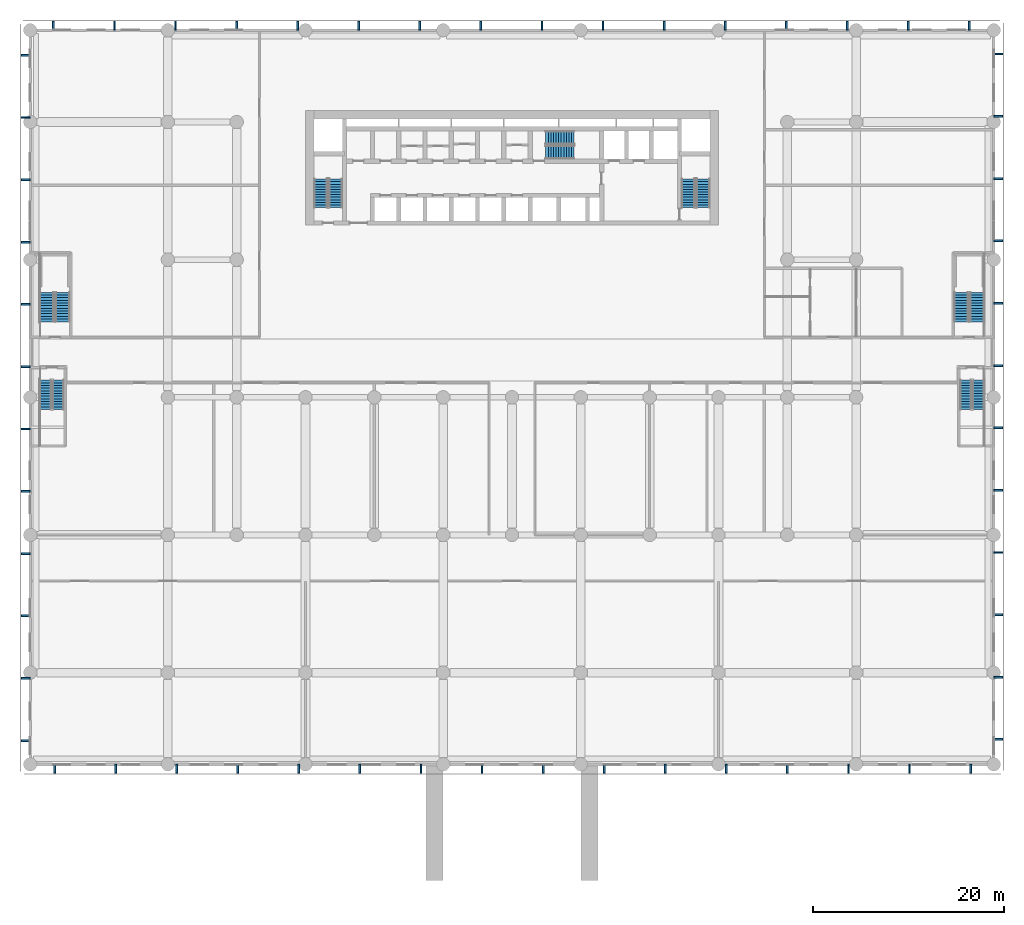
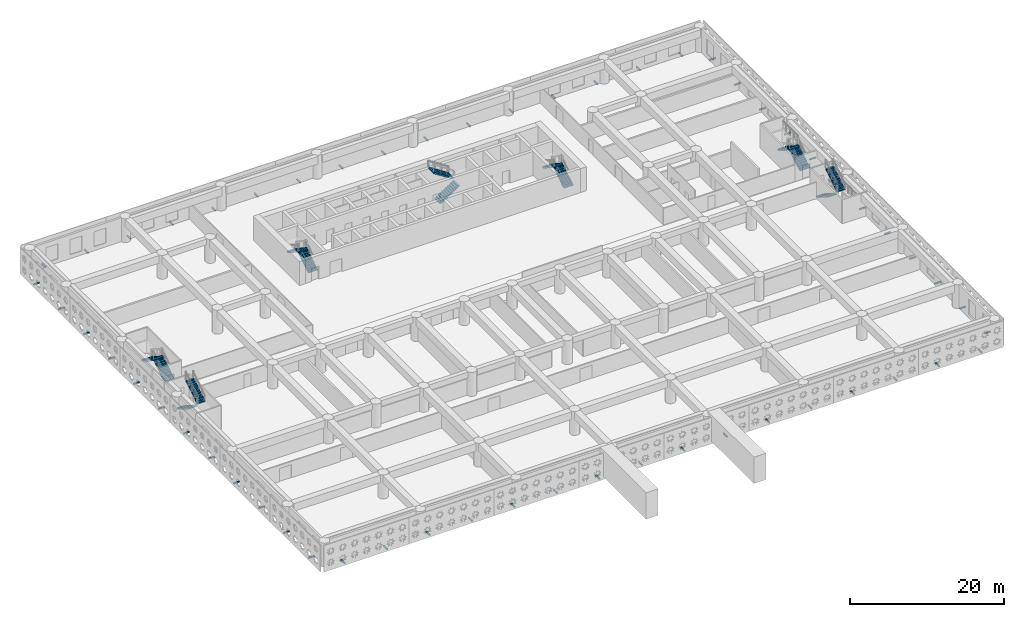
# One storey, part 10 of 23: 56 discrete accessories, 14 stair flights, 7 elements without a shape of their own.
"""IFC4 building model written with IfcOpenShell, lengths in metres."""

from ifc_helpers import new_model, si_unit, direction, frame, origin, origin_2d, place, context, subcontext, project, spatial, polyline, rectangle, outline, extrude, source, transform, mapped, material, layer, layer_set, type_object, element, aggregate, save


model = new_model("IFC4")

# Units and contexts
model_context = context("Model", 3, precision=1e-05, world=origin(), true_north=direction((0.0, 1.0)))
body_context = subcontext(model_context, "Body", "Model", "MODEL_VIEW")
ifc_project = project(units=[si_unit("LENGTHUNIT", "METRE"), si_unit("AREAUNIT", "SQUARE_METRE"), si_unit("VOLUMEUNIT", "CUBIC_METRE"), si_unit("PLANEANGLEUNIT", "RADIAN"), si_unit("MASSUNIT", "GRAM", prefix="KILO")], contexts=[model_context])

# Site, building, storey
site_placement = place(None, origin())
site = spatial("IfcSite", under=ifc_project, at=site_placement, CompositionType="ELEMENT")
building_placement = place(site_placement, origin())
building = spatial("IfcBuilding", under=site, at=building_placement, Name="Saffron Iwan Residences", CompositionType="ELEMENT")
storey_placement = place(building_placement, frame((0.0, 0.0, 17.39990234375)))
storey = spatial("IfcBuildingStorey", under=building, at=storey_placement, Name="L03", CompositionType="ELEMENT", Elevation=17.39990234375)

# Stair, stair flights
ifc_material_1 = material(Name="Concrete C40/50", Category="concrete")
stair_type_1 = type_object("IfcStairType", Name="Podium stair, reinforced concrete", PredefinedType="HALF_TURN_STAIR", material=ifc_material_1)
stair_1_placement = place(storey_placement, origin())
stair_1 = element("IfcStair", 1, at=stair_1_placement, inside=storey, type_object=stair_type_1, Name="L03 Podium Stair 1", PredefinedType="HALF_TURN_STAIR")
stair_flight_type_1 = type_object("IfcStairFlightType", Name="Podium stair flight, reinforced concrete", PredefinedType="STRAIGHT", material=ifc_material_1)
stair_flight_1_placement = place(storey_placement, frame((1.60009765625, 49.800048828125, 0.0), z_axis=(0.0, 0.0, 1.0), x_axis=(0.0, -1.0, 0.0)))
stair_flight_1 = element("IfcStairFlight", 2, at=stair_flight_1_placement, type_object=stair_flight_type_1, Name="PS1 flight 1", NumberOfRisers=12, NumberOfTreads=11, PredefinedType="STRAIGHT", RiserHeight=0.175, TreadLength=0.28, context=body_context, shape_type="SweptSolid", body=[
    extrude(outline(polyline([(0.0, 0.0), (0.0, 0.175048828125), (0.280029296875, 0.175048828125), (0.280029296875, 0.35009765625), (0.56005859375, 0.35009765625), (0.56005859375, 0.52490234375), (0.840087890625, 0.52490234375), (0.840087890625, 0.699951171875), (1.1201171875, 0.699951171875), (1.1201171875, 0.875), (1.39990234375, 0.875), (1.39990234375, 1.050048828125), (1.679931640625, 1.050048828125), (1.679931640625, 1.22509765625), (1.9599609375, 1.22509765625), (1.9599609375, 1.39990234375), (2.239990234375, 1.39990234375), (2.239990234375, 1.574951171875), (2.52001953125, 1.574951171875), (2.52001953125, 1.75), (2.800048828125, 1.75), (2.800048828125, 1.925048828125), (3.080078125, 1.925048828125), (3.080078125, 2.10009765625), (3.080078125, 1.748291015625), (0.28271484375, 0.0), (0.0, 0.0)])), frame((0.0, 0.60009765625, 0.0), z_axis=(0.0, -1.0, 0.0), x_axis=(1.0, 0.0, 0.0)), (0.0, 0.0, 1.0), 1.199951171875),
])
stair_flight_2_placement = place(storey_placement, frame((2.949951171875, 46.719970703125, 2.10009765625), z_axis=(0.0, 0.0, 1.0), x_axis=(0.0, 1.0, 0.0)))
stair_flight_2 = element("IfcStairFlight", 3, at=stair_flight_2_placement, type_object=stair_flight_type_1, Name="PS1 flight 2", NumberOfRisers=12, NumberOfTreads=11, PredefinedType="STRAIGHT", RiserHeight=0.175, TreadLength=0.28, context=body_context, shape_type="SweptSolid", body=[
    extrude(outline(polyline([(0.0, 0.0), (0.0, 0.175048828125), (0.280029296875, 0.175048828125), (0.280029296875, 0.35009765625), (0.56005859375, 0.35009765625), (0.56005859375, 0.52490234375), (0.840087890625, 0.52490234375), (0.840087890625, 0.699951171875), (1.1201171875, 0.699951171875), (1.1201171875, 0.875), (1.39990234375, 0.875), (1.39990234375, 1.050048828125), (1.679931640625, 1.050048828125), (1.679931640625, 1.22509765625), (1.9599609375, 1.22509765625), (1.9599609375, 1.39990234375), (2.239990234375, 1.39990234375), (2.239990234375, 1.574951171875), (2.52001953125, 1.574951171875), (2.52001953125, 1.75), (2.800048828125, 1.75), (2.800048828125, 1.925048828125), (3.080078125, 1.925048828125), (3.080078125, 2.10009765625), (3.080078125, 1.748291015625), (0.28271484375, 0.0), (0.0, 0.0)])), frame((0.0, 0.60009765625, 0.0), z_axis=(0.0, -1.0, 0.0), x_axis=(1.0, 0.0, 0.0)), (0.0, 0.0, 1.0), 1.199951171875),
])
aggregate(stair_1, [stair_flight_1, stair_flight_2])

stair_2_placement = place(storey_placement, origin())
stair_2 = element("IfcStair", 4, at=stair_2_placement, inside=storey, type_object=stair_type_1, Name="L03 Podium Stair 2", PredefinedType="HALF_TURN_STAIR")
stair_flight_3_placement = place(storey_placement, frame((97.85009765625, 49.800048828125, 0.0), z_axis=(0.0, 0.0, 1.0), x_axis=(0.0, -1.0, 0.0)))
stair_flight_3 = element("IfcStairFlight", 5, at=stair_flight_3_placement, type_object=stair_flight_type_1, Name="PS2 flight 1", NumberOfRisers=12, NumberOfTreads=11, PredefinedType="STRAIGHT", RiserHeight=0.175, TreadLength=0.28, context=body_context, shape_type="SweptSolid", body=[
    extrude(outline(polyline([(0.0, 0.0), (0.0, 0.175048828125), (0.280029296875, 0.175048828125), (0.280029296875, 0.35009765625), (0.56005859375, 0.35009765625), (0.56005859375, 0.52490234375), (0.840087890625, 0.52490234375), (0.840087890625, 0.699951171875), (1.1201171875, 0.699951171875), (1.1201171875, 0.875), (1.39990234375, 0.875), (1.39990234375, 1.050048828125), (1.679931640625, 1.050048828125), (1.679931640625, 1.22509765625), (1.9599609375, 1.22509765625), (1.9599609375, 1.39990234375), (2.239990234375, 1.39990234375), (2.239990234375, 1.574951171875), (2.52001953125, 1.574951171875), (2.52001953125, 1.75), (2.800048828125, 1.75), (2.800048828125, 1.925048828125), (3.080078125, 1.925048828125), (3.080078125, 2.10009765625), (3.080078125, 1.748291015625), (0.28271484375, 0.0), (0.0, 0.0)])), frame((0.0, 0.60009765625, 0.0), z_axis=(0.0, -1.0, 0.0), x_axis=(1.0, 0.0, 0.0)), (0.0, 0.0, 1.0), 1.199951171875),
])
stair_flight_4_placement = place(storey_placement, frame((99.199951171875, 46.719970703125, 2.10009765625), z_axis=(0.0, 0.0, 1.0), x_axis=(0.0, 1.0, 0.0)))
stair_flight_4 = element("IfcStairFlight", 6, at=stair_flight_4_placement, type_object=stair_flight_type_1, Name="PS2 flight 2", NumberOfRisers=12, NumberOfTreads=11, PredefinedType="STRAIGHT", RiserHeight=0.175, TreadLength=0.28, context=body_context, shape_type="SweptSolid", body=[
    extrude(outline(polyline([(0.0, 0.0), (0.0, 0.175048828125), (0.280029296875, 0.175048828125), (0.280029296875, 0.35009765625), (0.56005859375, 0.35009765625), (0.56005859375, 0.52490234375), (0.840087890625, 0.52490234375), (0.840087890625, 0.699951171875), (1.1201171875, 0.699951171875), (1.1201171875, 0.875), (1.39990234375, 0.875), (1.39990234375, 1.050048828125), (1.679931640625, 1.050048828125), (1.679931640625, 1.22509765625), (1.9599609375, 1.22509765625), (1.9599609375, 1.39990234375), (2.239990234375, 1.39990234375), (2.239990234375, 1.574951171875), (2.52001953125, 1.574951171875), (2.52001953125, 1.75), (2.800048828125, 1.75), (2.800048828125, 1.925048828125), (3.080078125, 1.925048828125), (3.080078125, 2.10009765625), (3.080078125, 1.748291015625), (0.28271484375, 0.0), (0.0, 0.0)])), frame((0.0, 0.60009765625, 0.0), z_axis=(0.0, -1.0, 0.0), x_axis=(1.0, 0.0, 0.0)), (0.0, 0.0, 1.0), 1.199951171875),
])
aggregate(stair_2, [stair_flight_3, stair_flight_4])

stair_3_placement = place(storey_placement, origin())
stair_3 = element("IfcStair", 7, at=stair_3_placement, inside=storey, type_object=stair_type_1, Name="L03 Podium Stair 3", PredefinedType="HALF_TURN_STAIR")
stair_flight_5_placement = place(storey_placement, frame((3.39990234375, 55.89990234375, 0.0), z_axis=(0.0, 0.0, 1.0), x_axis=(0.0, 1.0, 0.0)))
stair_flight_5 = element("IfcStairFlight", 8, at=stair_flight_5_placement, type_object=stair_flight_type_1, Name="PS3 flight 1", NumberOfRisers=12, NumberOfTreads=11, PredefinedType="STRAIGHT", RiserHeight=0.175, TreadLength=0.28, context=body_context, shape_type="SweptSolid", body=[
    extrude(outline(polyline([(0.0, 0.0), (0.0, 0.175048828125), (0.280029296875, 0.175048828125), (0.280029296875, 0.35009765625), (0.56005859375, 0.35009765625), (0.56005859375, 0.52490234375), (0.840087890625, 0.52490234375), (0.840087890625, 0.699951171875), (1.1201171875, 0.699951171875), (1.1201171875, 0.875), (1.39990234375, 0.875), (1.39990234375, 1.050048828125), (1.679931640625, 1.050048828125), (1.679931640625, 1.22509765625), (1.9599609375, 1.22509765625), (1.9599609375, 1.39990234375), (2.239990234375, 1.39990234375), (2.239990234375, 1.574951171875), (2.52001953125, 1.574951171875), (2.52001953125, 1.75), (2.800048828125, 1.75), (2.800048828125, 1.925048828125), (3.080078125, 1.925048828125), (3.080078125, 2.10009765625), (3.080078125, 1.748291015625), (0.28271484375, 0.0), (0.0, 0.0)])), frame((0.0, 0.75, 0.0), z_axis=(0.0, -1.0, 0.0), x_axis=(1.0, 0.0, 0.0)), (0.0, 0.0, 1.0), 1.5),
])
stair_flight_6_placement = place(storey_placement, frame((1.75, 58.97998046875, 2.10009765625), z_axis=(0.0, 0.0, 1.0), x_axis=(0.0, -1.0, 0.0)))
stair_flight_6 = element("IfcStairFlight", 9, at=stair_flight_6_placement, type_object=stair_flight_type_1, Name="PS3 flight 2", NumberOfRisers=12, NumberOfTreads=11, PredefinedType="STRAIGHT", RiserHeight=0.175, TreadLength=0.28, context=body_context, shape_type="SweptSolid", body=[
    extrude(outline(polyline([(0.0, 0.0), (0.0, 0.175048828125), (0.280029296875, 0.175048828125), (0.280029296875, 0.35009765625), (0.56005859375, 0.35009765625), (0.56005859375, 0.52490234375), (0.840087890625, 0.52490234375), (0.840087890625, 0.699951171875), (1.1201171875, 0.699951171875), (1.1201171875, 0.875), (1.39990234375, 0.875), (1.39990234375, 1.050048828125), (1.679931640625, 1.050048828125), (1.679931640625, 1.22509765625), (1.9599609375, 1.22509765625), (1.9599609375, 1.39990234375), (2.239990234375, 1.39990234375), (2.239990234375, 1.574951171875), (2.52001953125, 1.574951171875), (2.52001953125, 1.75), (2.800048828125, 1.75), (2.800048828125, 1.925048828125), (3.080078125, 1.925048828125), (3.080078125, 2.10009765625), (3.080078125, 1.748291015625), (0.28271484375, 0.0), (0.0, 0.0)])), frame((0.0, 0.75, 0.0), z_axis=(0.0, -1.0, 0.0), x_axis=(1.0, 0.0, 0.0)), (0.0, 0.0, 1.0), 1.5),
])
aggregate(stair_3, [stair_flight_5, stair_flight_6])

stair_4_placement = place(storey_placement, origin())
stair_4 = element("IfcStair", 10, at=stair_4_placement, inside=storey, type_object=stair_type_1, Name="L03 Podium Stair 4", PredefinedType="HALF_TURN_STAIR")
stair_flight_7_placement = place(storey_placement, frame((99.050048828125, 55.89990234375, 0.0), z_axis=(0.0, 0.0, 1.0), x_axis=(0.0, 1.0, 0.0)))
stair_flight_7 = element("IfcStairFlight", 11, at=stair_flight_7_placement, type_object=stair_flight_type_1, Name="PS4 flight 1", NumberOfRisers=12, NumberOfTreads=11, PredefinedType="STRAIGHT", RiserHeight=0.175, TreadLength=0.28, context=body_context, shape_type="SweptSolid", body=[
    extrude(outline(polyline([(0.0, 0.0), (0.0, 0.175048828125), (0.280029296875, 0.175048828125), (0.280029296875, 0.35009765625), (0.56005859375, 0.35009765625), (0.56005859375, 0.52490234375), (0.840087890625, 0.52490234375), (0.840087890625, 0.699951171875), (1.1201171875, 0.699951171875), (1.1201171875, 0.875), (1.39990234375, 0.875), (1.39990234375, 1.050048828125), (1.679931640625, 1.050048828125), (1.679931640625, 1.22509765625), (1.9599609375, 1.22509765625), (1.9599609375, 1.39990234375), (2.239990234375, 1.39990234375), (2.239990234375, 1.574951171875), (2.52001953125, 1.574951171875), (2.52001953125, 1.75), (2.800048828125, 1.75), (2.800048828125, 1.925048828125), (3.080078125, 1.925048828125), (3.080078125, 2.10009765625), (3.080078125, 1.748291015625), (0.28271484375, 0.0), (0.0, 0.0)])), frame((0.0, 0.75, 0.0), z_axis=(0.0, -1.0, 0.0), x_axis=(1.0, 0.0, 0.0)), (0.0, 0.0, 1.0), 1.5),
])
stair_flight_8_placement = place(storey_placement, frame((97.39990234375, 58.97998046875, 2.10009765625), z_axis=(0.0, 0.0, 1.0), x_axis=(0.0, -1.0, 0.0)))
stair_flight_8 = element("IfcStairFlight", 12, at=stair_flight_8_placement, type_object=stair_flight_type_1, Name="PS4 flight 2", NumberOfRisers=12, NumberOfTreads=11, PredefinedType="STRAIGHT", RiserHeight=0.175, TreadLength=0.28, context=body_context, shape_type="SweptSolid", body=[
    extrude(outline(polyline([(0.0, 0.0), (0.0, 0.175048828125), (0.280029296875, 0.175048828125), (0.280029296875, 0.35009765625), (0.56005859375, 0.35009765625), (0.56005859375, 0.52490234375), (0.840087890625, 0.52490234375), (0.840087890625, 0.699951171875), (1.1201171875, 0.699951171875), (1.1201171875, 0.875), (1.39990234375, 0.875), (1.39990234375, 1.050048828125), (1.679931640625, 1.050048828125), (1.679931640625, 1.22509765625), (1.9599609375, 1.22509765625), (1.9599609375, 1.39990234375), (2.239990234375, 1.39990234375), (2.239990234375, 1.574951171875), (2.52001953125, 1.574951171875), (2.52001953125, 1.75), (2.800048828125, 1.75), (2.800048828125, 1.925048828125), (3.080078125, 1.925048828125), (3.080078125, 2.10009765625), (3.080078125, 1.748291015625), (0.28271484375, 0.0), (0.0, 0.0)])), frame((0.0, 0.75, 0.0), z_axis=(0.0, -1.0, 0.0), x_axis=(1.0, 0.0, 0.0)), (0.0, 0.0, 1.0), 1.5),
])
aggregate(stair_4, [stair_flight_7, stair_flight_8])

ifc_material_2 = material(Name="Concrete C50/60", Category="concrete")
stair_type_2 = type_object("IfcStairType", Name="Stair ST-CORE", PredefinedType="HALF_TURN_STAIR", material=ifc_material_2)
stair_5_placement = place(storey_placement, origin())
stair_5 = element("IfcStair", 13, at=stair_5_placement, inside=storey, type_object=stair_type_2, Name="L03 Exit Stair ST-W", PredefinedType="HALF_TURN_STAIR")
ifc_layer = layer(ifc_material_2, 0.14990234375)
ifc_layer_set = layer_set([ifc_layer], Name="Concrete C50/60")
stair_flight_type_2 = type_object("IfcStairFlightType", Name="Stair flight SFL-RC", PredefinedType="STRAIGHT", material=ifc_layer_set)
stair_flight_9_placement = place(storey_placement, frame((31.949951171875, 67.85009765625, 0.0), z_axis=(0.0, 0.0, 1.0), x_axis=(0.0, 1.0, 0.0)))
stair_flight_9 = element("IfcStairFlight", 14, at=stair_flight_9_placement, type_object=stair_flight_type_2, Name="ST-W flight 1", NumberOfRisers=12, NumberOfTreads=11, PredefinedType="STRAIGHT", RiserHeight=0.175, TreadLength=0.27, context=body_context, shape_type="SweptSolid", body=[
    extrude(outline(polyline([(0.0, 0.0), (0.0, 0.175048828125), (0.27001953125, 0.175048828125), (0.27001953125, 0.35009765625), (0.5400390625, 0.35009765625), (0.5400390625, 0.52490234375), (0.81005859375, 0.52490234375), (0.81005859375, 0.699951171875), (1.080078125, 0.699951171875), (1.080078125, 0.875), (1.35009765625, 0.875), (1.35009765625, 1.050048828125), (1.6201171875, 1.050048828125), (1.6201171875, 1.22509765625), (1.889892578125, 1.22509765625), (1.889892578125, 1.39990234375), (2.159912109375, 1.39990234375), (2.159912109375, 1.574951171875), (2.429931640625, 1.574951171875), (2.429931640625, 1.75), (2.699951171875, 1.75), (2.699951171875, 1.925048828125), (2.969970703125, 1.925048828125), (2.969970703125, 2.10009765625), (2.969970703125, 1.746337890625), (0.275634765625, 0.0), (0.0, 0.0)])), frame((0.0, 0.699951171875, 0.0), z_axis=(0.0, -1.0, 0.0), x_axis=(1.0, 0.0, 0.0)), (0.0, 0.0, 1.0), 1.39990234375),
])
stair_flight_10_placement = place(storey_placement, frame((30.39990234375, 70.820068359375, 2.10009765625), z_axis=(0.0, 0.0, 1.0), x_axis=(0.0, -1.0, 0.0)))
stair_flight_10 = element("IfcStairFlight", 15, at=stair_flight_10_placement, type_object=stair_flight_type_2, Name="ST-W flight 2", NumberOfRisers=12, NumberOfTreads=11, PredefinedType="STRAIGHT", RiserHeight=0.175, TreadLength=0.27, context=body_context, shape_type="SweptSolid", body=[
    extrude(outline(polyline([(0.0, 0.0), (0.0, 0.175048828125), (0.27001953125, 0.175048828125), (0.27001953125, 0.35009765625), (0.5400390625, 0.35009765625), (0.5400390625, 0.52490234375), (0.81005859375, 0.52490234375), (0.81005859375, 0.699951171875), (1.080078125, 0.699951171875), (1.080078125, 0.875), (1.35009765625, 0.875), (1.35009765625, 1.050048828125), (1.6201171875, 1.050048828125), (1.6201171875, 1.22509765625), (1.889892578125, 1.22509765625), (1.889892578125, 1.39990234375), (2.159912109375, 1.39990234375), (2.159912109375, 1.574951171875), (2.429931640625, 1.574951171875), (2.429931640625, 1.75), (2.699951171875, 1.75), (2.699951171875, 1.925048828125), (2.969970703125, 1.925048828125), (2.969970703125, 2.10009765625), (2.969970703125, 1.746337890625), (0.275634765625, 0.0), (0.0, 0.0)])), frame((0.0, 0.699951171875, 0.0), z_axis=(0.0, -1.0, 0.0), x_axis=(1.0, 0.0, 0.0)), (0.0, 0.0, 1.0), 1.39990234375),
])
aggregate(stair_5, [stair_flight_9, stair_flight_10])

stair_6_placement = place(storey_placement, origin())
stair_6 = element("IfcStair", 16, at=stair_6_placement, inside=storey, type_object=stair_type_2, Name="L03 Exit Stair ST-C", PredefinedType="HALF_TURN_STAIR")
stair_flight_11_placement = place(storey_placement, frame((53.925048828125, 73.625, 0.0), z_axis=(0.0, 0.0, 1.0), x_axis=(1.0, 0.0, 0.0)))
stair_flight_11 = element("IfcStairFlight", 17, at=stair_flight_11_placement, type_object=stair_flight_type_2, Name="ST-C flight 1", NumberOfRisers=12, NumberOfTreads=11, PredefinedType="STRAIGHT", RiserHeight=0.175, TreadLength=0.27, context=body_context, shape_type="SweptSolid", body=[
    extrude(outline(polyline([(0.0, 0.0), (0.0, 0.175048828125), (0.27001953125, 0.175048828125), (0.27001953125, 0.35009765625), (0.5400390625, 0.35009765625), (0.5400390625, 0.52490234375), (0.81005859375, 0.52490234375), (0.81005859375, 0.699951171875), (1.080078125, 0.699951171875), (1.080078125, 0.875), (1.35009765625, 0.875), (1.35009765625, 1.050048828125), (1.6201171875, 1.050048828125), (1.6201171875, 1.22509765625), (1.889892578125, 1.22509765625), (1.889892578125, 1.39990234375), (2.159912109375, 1.39990234375), (2.159912109375, 1.574951171875), (2.429931640625, 1.574951171875), (2.429931640625, 1.75), (2.699951171875, 1.75), (2.699951171875, 1.925048828125), (2.969970703125, 1.925048828125), (2.969970703125, 2.10009765625), (2.969970703125, 1.746337890625), (0.275634765625, 0.0), (0.0, 0.0)])), frame((0.0, 0.699951171875, 0.0), z_axis=(0.0, -1.0, 0.0), x_axis=(1.0, 0.0, 0.0)), (0.0, 0.0, 1.0), 1.39990234375),
])
stair_flight_12_placement = place(storey_placement, frame((56.89501953125, 75.175048828125, 2.10009765625), z_axis=(0.0, 0.0, 1.0), x_axis=(-1.0, 0.0, 0.0)))
stair_flight_12 = element("IfcStairFlight", 18, at=stair_flight_12_placement, type_object=stair_flight_type_2, Name="ST-C flight 2", NumberOfRisers=12, NumberOfTreads=11, PredefinedType="STRAIGHT", RiserHeight=0.175, TreadLength=0.27, context=body_context, shape_type="SweptSolid", body=[
    extrude(outline(polyline([(0.0, 0.0), (0.0, 0.175048828125), (0.27001953125, 0.175048828125), (0.27001953125, 0.35009765625), (0.5400390625, 0.35009765625), (0.5400390625, 0.52490234375), (0.81005859375, 0.52490234375), (0.81005859375, 0.699951171875), (1.080078125, 0.699951171875), (1.080078125, 0.875), (1.35009765625, 0.875), (1.35009765625, 1.050048828125), (1.6201171875, 1.050048828125), (1.6201171875, 1.22509765625), (1.889892578125, 1.22509765625), (1.889892578125, 1.39990234375), (2.159912109375, 1.39990234375), (2.159912109375, 1.574951171875), (2.429931640625, 1.574951171875), (2.429931640625, 1.75), (2.699951171875, 1.75), (2.699951171875, 1.925048828125), (2.969970703125, 1.925048828125), (2.969970703125, 2.10009765625), (2.969970703125, 1.746337890625), (0.275634765625, 0.0), (0.0, 0.0)])), frame((0.0, 0.699951171875, 0.0), z_axis=(0.0, -1.0, 0.0), x_axis=(1.0, 0.0, 0.0)), (0.0, 0.0, 1.0), 1.39990234375),
])
aggregate(stair_6, [stair_flight_11, stair_flight_12])

stair_7_placement = place(storey_placement, origin())
stair_7 = element("IfcStair", 19, at=stair_7_placement, inside=storey, type_object=stair_type_2, Name="L03 Exit Stair ST-E", PredefinedType="HALF_TURN_STAIR")
stair_flight_13_placement = place(storey_placement, frame((70.39990234375, 67.85009765625, 0.0), z_axis=(0.0, 0.0, 1.0), x_axis=(0.0, 1.0, 0.0)))
stair_flight_13 = element("IfcStairFlight", 20, at=stair_flight_13_placement, type_object=stair_flight_type_2, Name="ST-E flight 1", NumberOfRisers=12, NumberOfTreads=11, PredefinedType="STRAIGHT", RiserHeight=0.175, TreadLength=0.27, context=body_context, shape_type="SweptSolid", body=[
    extrude(outline(polyline([(0.0, 0.0), (0.0, 0.175048828125), (0.27001953125, 0.175048828125), (0.27001953125, 0.35009765625), (0.5400390625, 0.35009765625), (0.5400390625, 0.52490234375), (0.81005859375, 0.52490234375), (0.81005859375, 0.699951171875), (1.080078125, 0.699951171875), (1.080078125, 0.875), (1.35009765625, 0.875), (1.35009765625, 1.050048828125), (1.6201171875, 1.050048828125), (1.6201171875, 1.22509765625), (1.889892578125, 1.22509765625), (1.889892578125, 1.39990234375), (2.159912109375, 1.39990234375), (2.159912109375, 1.574951171875), (2.429931640625, 1.574951171875), (2.429931640625, 1.75), (2.699951171875, 1.75), (2.699951171875, 1.925048828125), (2.969970703125, 1.925048828125), (2.969970703125, 2.10009765625), (2.969970703125, 1.746337890625), (0.275634765625, 0.0), (0.0, 0.0)])), frame((0.0, 0.699951171875, 0.0), z_axis=(0.0, -1.0, 0.0), x_axis=(1.0, 0.0, 0.0)), (0.0, 0.0, 1.0), 1.39990234375),
])
stair_flight_14_placement = place(storey_placement, frame((68.85009765625, 70.820068359375, 2.10009765625), z_axis=(0.0, 0.0, 1.0), x_axis=(0.0, -1.0, 0.0)))
stair_flight_14 = element("IfcStairFlight", 21, at=stair_flight_14_placement, type_object=stair_flight_type_2, Name="ST-E flight 2", NumberOfRisers=12, NumberOfTreads=11, PredefinedType="STRAIGHT", RiserHeight=0.175, TreadLength=0.27, context=body_context, shape_type="SweptSolid", body=[
    extrude(outline(polyline([(0.0, 0.0), (0.0, 0.175048828125), (0.27001953125, 0.175048828125), (0.27001953125, 0.35009765625), (0.5400390625, 0.35009765625), (0.5400390625, 0.52490234375), (0.81005859375, 0.52490234375), (0.81005859375, 0.699951171875), (1.080078125, 0.699951171875), (1.080078125, 0.875), (1.35009765625, 0.875), (1.35009765625, 1.050048828125), (1.6201171875, 1.050048828125), (1.6201171875, 1.22509765625), (1.889892578125, 1.22509765625), (1.889892578125, 1.39990234375), (2.159912109375, 1.39990234375), (2.159912109375, 1.574951171875), (2.429931640625, 1.574951171875), (2.429931640625, 1.75), (2.699951171875, 1.75), (2.699951171875, 1.925048828125), (2.969970703125, 1.925048828125), (2.969970703125, 2.10009765625), (2.969970703125, 1.746337890625), (0.275634765625, 0.0), (0.0, 0.0)])), frame((0.0, 0.699951171875, 0.0), z_axis=(0.0, -1.0, 0.0), x_axis=(1.0, 0.0, 0.0)), (0.0, 0.0, 1.0), 1.39990234375),
])
aggregate(stair_7, [stair_flight_13, stair_flight_14])

# Discrete accessories
shared_shape = source(origin(), body_context, "Body", "SweptSolid", [
    extrude(rectangle(XDim=0.949951171875, YDim=0.199951171875, at=origin_2d()), origin(), (0.0, 0.0, 1.0), 0.199951171875),
])
for number, where, z_axis, x_axis, name in (
    (22, (2.54443359375, 9.125, -0.2998046875), (0.0, 0.0, 1.0), (0.0, -1.0, 0.0), "Screen bracket L03 F0.0.0"),
    (23, (8.93310546875, 9.125, -0.2998046875), (0.0, 0.0, 1.0), (0.0, -1.0, 0.0), "Screen bracket L03 F0.0.1"),
    (24, (15.322021484375, 9.125, -0.2998046875), (0.0, 0.0, 1.0), (0.0, -1.0, 0.0), "Screen bracket L03 F0.1.0"),
    (25, (21.710693359375, 9.125, -0.2998046875), (0.0, 0.0, 1.0), (0.0, -1.0, 0.0), "Screen bracket L03 F0.1.1"),
    (26, (28.099365234375, 9.125, -0.2998046875), (0.0, 0.0, 1.0), (0.0, -1.0, 0.0), "Screen bracket L03 F0.2.0"),
    (27, (34.488037109375, 9.125, -0.2998046875), (0.0, 0.0, 1.0), (0.0, -1.0, 0.0), "Screen bracket L03 F0.2.1"),
    (28, (40.876953125, 9.125, -0.2998046875), (0.0, 0.0, 1.0), (0.0, -1.0, 0.0), "Screen bracket L03 F0.3.0"),
    (29, (47.265625, 9.125, -0.2998046875), (0.0, 0.0, 1.0), (0.0, -1.0, 0.0), "Screen bracket L03 F0.3.1"),
    (30, (53.654296875, 9.125, -0.2998046875), (0.0, 0.0, 1.0), (0.0, -1.0, 0.0), "Screen bracket L03 F0.4.0"),
    (31, (60.043212890625, 9.125, -0.2998046875), (0.0, 0.0, 1.0), (0.0, -1.0, 0.0), "Screen bracket L03 F0.4.1"),
    (32, (66.431884765625, 9.125, -0.2998046875), (0.0, 0.0, 1.0), (0.0, -1.0, 0.0), "Screen bracket L03 F0.5.0"),
    (33, (72.820556640625, 9.125, -0.2998046875), (0.0, 0.0, 1.0), (0.0, -1.0, 0.0), "Screen bracket L03 F0.5.1"),
    (34, (79.20947265625, 9.125, -0.2998046875), (0.0, 0.0, 1.0), (0.0, -1.0, 0.0), "Screen bracket L03 F0.6.0"),
    (35, (85.59814453125, 9.125, -0.2998046875), (0.0, 0.0, 1.0), (0.0, -1.0, 0.0), "Screen bracket L03 F0.6.1"),
    (36, (91.98681640625, 9.125, -0.2998046875), (0.0, 0.0, 1.0), (0.0, -1.0, 0.0), "Screen bracket L03 F0.7.0"),
    (37, (98.37548828125, 9.125, -0.2998046875), (0.0, 0.0, 1.0), (0.0, -1.0, 0.0), "Screen bracket L03 F0.7.1"),
    (38, (101.27490234375, 12.209228515625, -0.2998046875), (0.0, 0.0, 1.0), (1.0, 0.0, 0.0), "Screen bracket L03 F1.0.0"),
    (39, (101.27490234375, 18.7275390625, -0.2998046875), (0.0, 0.0, 1.0), (1.0, 0.0, 0.0), "Screen bracket L03 F1.0.1"),
    (40, (101.27490234375, 25.245849609375, -0.2998046875), (0.0, 0.0, 1.0), (1.0, 0.0, 0.0), "Screen bracket L03 F1.1.0"),
    (41, (101.27490234375, 31.76416015625, -0.2998046875), (0.0, 0.0, 1.0), (1.0, 0.0, 0.0), "Screen bracket L03 F1.1.1"),
    (42, (101.27490234375, 38.282470703125, -0.2998046875), (0.0, 0.0, 1.0), (1.0, 0.0, 0.0), "Screen bracket L03 F1.2.0"),
    (43, (101.27490234375, 44.80078125, -0.2998046875), (0.0, 0.0, 1.0), (1.0, 0.0, 0.0), "Screen bracket L03 F1.2.1"),
    (44, (101.27490234375, 51.319091796875, -0.2998046875), (0.0, 0.0, 1.0), (1.0, 0.0, 0.0), "Screen bracket L03 F1.3.0"),
    (45, (101.27490234375, 57.83740234375, -0.2998046875), (0.0, 0.0, 1.0), (1.0, 0.0, 0.0), "Screen bracket L03 F1.3.1"),
    (46, (101.27490234375, 64.355712890625, -0.2998046875), (0.0, 0.0, 1.0), (1.0, 0.0, 0.0), "Screen bracket L03 F1.4.0"),
    (47, (101.27490234375, 70.874267578125, -0.2998046875), (0.0, 0.0, 1.0), (1.0, 0.0, 0.0), "Screen bracket L03 F1.4.1"),
    (48, (101.27490234375, 77.392578125, -0.2998046875), (0.0, 0.0, 1.0), (1.0, 0.0, 0.0), "Screen bracket L03 F1.5.0"),
    (49, (101.27490234375, 83.910888671875, -0.2998046875), (0.0, 0.0, 1.0), (1.0, 0.0, 0.0), "Screen bracket L03 F1.5.1"),
    (50, (98.255615234375, 86.875, -0.2998046875), (0.0, 0.0, 1.0), (0.0, 1.0, 0.0), "Screen bracket L03 F2.0.0"),
    (51, (91.866943359375, 86.875, -0.2998046875), (0.0, 0.0, 1.0), (0.0, 1.0, 0.0), "Screen bracket L03 F2.0.1"),
    (52, (85.47802734375, 86.875, -0.2998046875), (0.0, 0.0, 1.0), (0.0, 1.0, 0.0), "Screen bracket L03 F2.1.0"),
    (53, (79.08935546875, 86.875, -0.2998046875), (0.0, 0.0, 1.0), (0.0, 1.0, 0.0), "Screen bracket L03 F2.1.1"),
    (54, (72.70068359375, 86.875, -0.2998046875), (0.0, 0.0, 1.0), (0.0, 1.0, 0.0), "Screen bracket L03 F2.2.0"),
    (55, (66.31201171875, 86.875, -0.2998046875), (0.0, 0.0, 1.0), (0.0, 1.0, 0.0), "Screen bracket L03 F2.2.1"),
    (56, (59.923095703125, 86.875, -0.2998046875), (0.0, 0.0, 1.0), (0.0, 1.0, 0.0), "Screen bracket L03 F2.3.0"),
    (57, (53.534423828125, 86.875, -0.2998046875), (0.0, 0.0, 1.0), (0.0, 1.0, 0.0), "Screen bracket L03 F2.3.1"),
    (58, (47.1455078125, 86.875, -0.2998046875), (0.0, 0.0, 1.0), (0.0, 1.0, 0.0), "Screen bracket L03 F2.4.0"),
    (59, (40.7568359375, 86.875, -0.2998046875), (0.0, 0.0, 1.0), (0.0, 1.0, 0.0), "Screen bracket L03 F2.4.1"),
    (60, (34.3681640625, 86.875, -0.2998046875), (0.0, 0.0, 1.0), (0.0, 1.0, 0.0), "Screen bracket L03 F2.5.0"),
    (61, (27.9794921875, 86.875, -0.2998046875), (0.0, 0.0, 1.0), (0.0, 1.0, 0.0), "Screen bracket L03 F2.5.1"),
    (62, (21.590576171875, 86.875, -0.2998046875), (0.0, 0.0, 1.0), (0.0, 1.0, 0.0), "Screen bracket L03 F2.6.0"),
    (63, (15.201904296875, 86.875, -0.2998046875), (0.0, 0.0, 1.0), (0.0, 1.0, 0.0), "Screen bracket L03 F2.6.1"),
    (64, (8.81298828125, 86.875, -0.2998046875), (0.0, 0.0, 1.0), (0.0, 1.0, 0.0), "Screen bracket L03 F2.7.0"),
    (65, (2.42431640625, 86.875, -0.2998046875), (0.0, 0.0, 1.0), (0.0, 1.0, 0.0), "Screen bracket L03 F2.7.1"),
    (66, (-0.47509765625, 83.790771484375, -0.2998046875), (0.0, 0.0, 1.0), (-1.0, 0.0, 0.0), "Screen bracket L03 F3.0.0"),
    (67, (-0.47509765625, 77.2724609375, -0.2998046875), (0.0, 0.0, 1.0), (-1.0, 0.0, 0.0), "Screen bracket L03 F3.0.1"),
    (68, (-0.47509765625, 70.754150390625, -0.2998046875), (0.0, 0.0, 1.0), (-1.0, 0.0, 0.0), "Screen bracket L03 F3.1.0"),
    (69, (-0.47509765625, 64.23583984375, -0.2998046875), (0.0, 0.0, 1.0), (-1.0, 0.0, 0.0), "Screen bracket L03 F3.1.1"),
    (70, (-0.47509765625, 57.717529296875, -0.2998046875), (0.0, 0.0, 1.0), (-1.0, 0.0, 0.0), "Screen bracket L03 F3.2.0"),
    (71, (-0.47509765625, 51.19921875, -0.2998046875), (0.0, 0.0, 1.0), (-1.0, 0.0, 0.0), "Screen bracket L03 F3.2.1"),
    (72, (-0.47509765625, 44.680908203125, -0.2998046875), (0.0, 0.0, 1.0), (-1.0, 0.0, 0.0), "Screen bracket L03 F3.3.0"),
    (73, (-0.47509765625, 38.16259765625, -0.2998046875), (0.0, 0.0, 1.0), (-1.0, 0.0, 0.0), "Screen bracket L03 F3.3.1"),
    (74, (-0.47509765625, 31.644287109375, -0.2998046875), (0.0, 0.0, 1.0), (-1.0, 0.0, 0.0), "Screen bracket L03 F3.4.0"),
    (75, (-0.47509765625, 25.125732421875, -0.2998046875), (0.0, 0.0, 1.0), (-1.0, 0.0, 0.0), "Screen bracket L03 F3.4.1"),
    (76, (-0.47509765625, 18.607421875, -0.2998046875), (0.0, 0.0, 1.0), (-1.0, 0.0, 0.0), "Screen bracket L03 F3.5.0"),
    (77, (-0.47509765625, 12.089111328125, -0.2998046875), (0.0, 0.0, 1.0), (-1.0, 0.0, 0.0), "Screen bracket L03 F3.5.1"),
):
    element("IfcDiscreteAccessory", number, at=place(storey_placement, frame(where, z_axis=z_axis, x_axis=x_axis)), inside=storey, Name=name, PredefinedType="BRACKET", context=body_context, shape_type="MappedRepresentation", body=[
        mapped(shared_shape, transform((0.0, 0.0, 0.0))),
    ])

save(model, "model.ifc")
